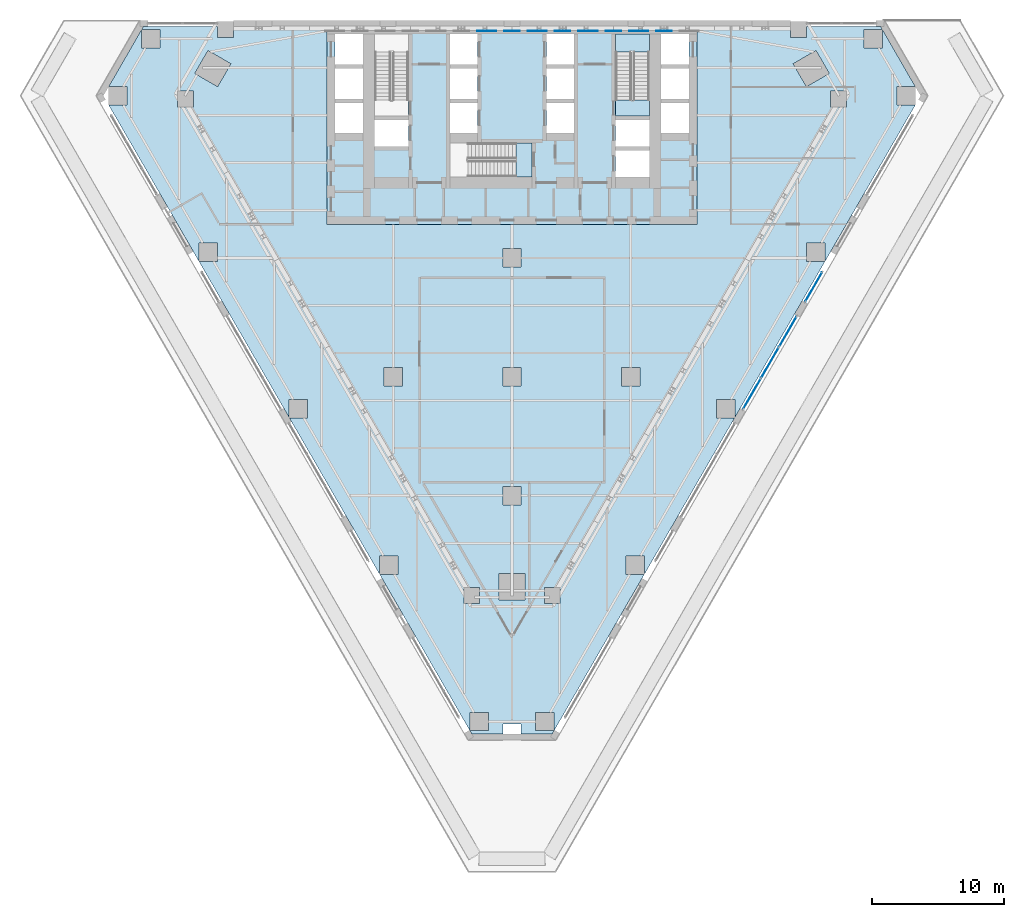
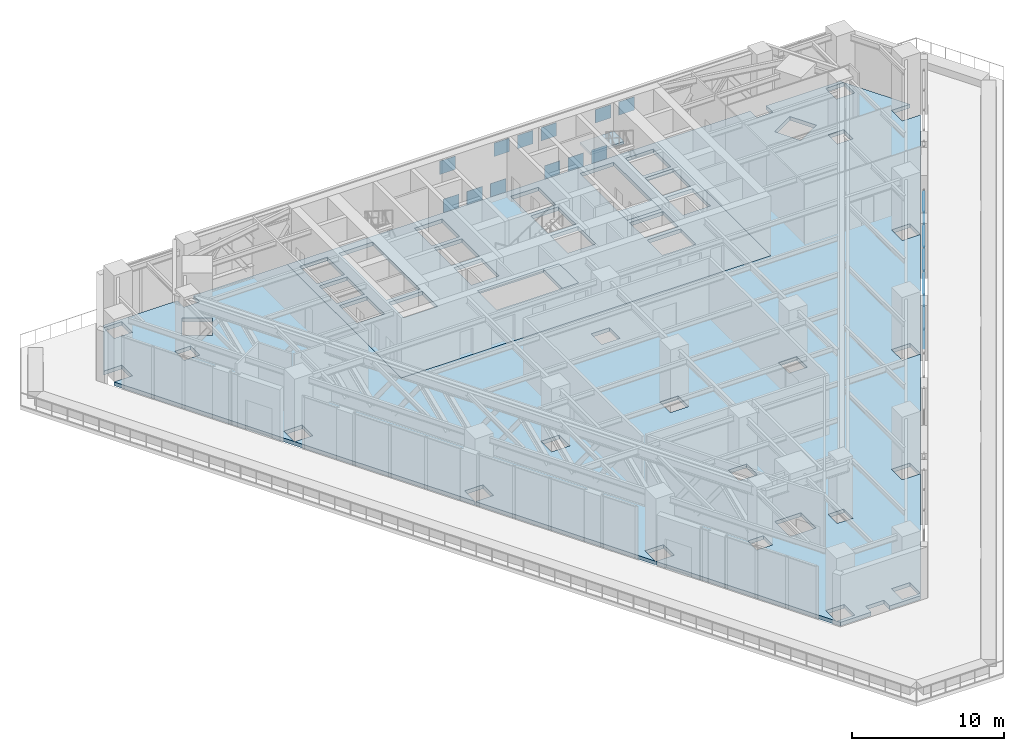
# One storey, part 15 of 25: 16 plates, 5 slabs, 3 elements without a shape of their own.
"""IFC4 building model written with IfcOpenShell, lengths in metres."""

from ifc_helpers import new_model, si_unit, direction, frame, origin, origin_2d, place, context, subcontext, project, spatial, polyline, rectangle, outline, extrude, material, layer, layer_set, type_object, element, aggregate, save


model = new_model("IFC4")

# Units and contexts
model_context = context("Model", 3, precision=1e-05, world=origin(), true_north=direction((0.0, 1.0)))
body_context = subcontext(model_context, "Body", "Model", "MODEL_VIEW")
ifc_project = project(units=[si_unit("LENGTHUNIT", "METRE"), si_unit("AREAUNIT", "SQUARE_METRE"), si_unit("VOLUMEUNIT", "CUBIC_METRE"), si_unit("PLANEANGLEUNIT", "RADIAN"), si_unit("MASSUNIT", "GRAM", prefix="KILO")], contexts=[model_context])

# Site, building, storey
site_placement = place(None, origin())
site = spatial("IfcSite", under=ifc_project, at=site_placement, CompositionType="ELEMENT")
building_placement = place(site_placement, origin())
building = spatial("IfcBuilding", under=site, at=building_placement, Name="Aloe Facet Convention Tower", CompositionType="ELEMENT")
storey_placement = place(building_placement, frame((0.0, 0.0, 30.0)))
storey = spatial("IfcBuildingStorey", under=building, at=storey_placement, Name="L05", CompositionType="ELEMENT", Elevation=30.0)

# Slabs
ifc_material_1 = material(Name="Concrete C80/95", Category="concrete")
ifc_layer_1 = layer(ifc_material_1, 0.300048828125)
ifc_layer_set_1 = layer_set([ifc_layer_1], Name="CR-S-FLOOR300-C8095")
slab_type_1 = type_object("IfcSlabType", Name="CR-S-FLOOR300-C8095", PredefinedType="FLOOR", material=ifc_layer_set_1)
slab_1_placement = place(storey_placement, frame((0.0, 0.0, -0.300048828125)))
element("IfcSlab", 1, at=slab_1_placement, inside=storey, type_object=slab_type_1, Name="Stair landing floor L05", PredefinedType="FLOOR", context=body_context, shape_type="SweptSolid", body=[
    extrude(outline(polyline([(90.39990234375, 127.75), (90.39990234375, 128.951171875), (87.85009765625, 128.951171875), (87.85009765625, 127.75), (90.39990234375, 127.75)])), origin(), (0.0, 0.0, 1.0), 0.300048828125),
])
slab_2_placement = place(storey_placement, frame((0.0, 0.0, -0.300048828125)))
element("IfcSlab", 2, at=slab_2_placement, inside=storey, type_object=slab_type_1, Name="Stair landing floor L05", PredefinedType="FLOOR", context=body_context, shape_type="SweptSolid", body=[
    extrude(outline(polyline([(81.5, 125.699951171875), (80.298828125, 125.699951171875), (80.298828125, 123.14990234375), (81.5, 123.14990234375), (81.5, 125.699951171875)])), origin(), (0.0, 0.0, 1.0), 0.300048828125),
])
slab_3_placement = place(storey_placement, frame((0.0, 0.0, -0.300048828125)))
element("IfcSlab", 3, at=slab_3_placement, inside=storey, type_object=slab_type_1, Name="Core floor L05", PredefinedType="FLOOR", context=body_context, shape_type="SweptSolid", body=[
    extrude(outline(polyline([(69.300048828125, 134.550048828125), (71.85009765625, 134.550048828125), (72.75, 134.550048828125), (74.699951171875, 134.550048828125), (75.60009765625, 134.550048828125), (77.10009765625, 134.550048828125), (78.0, 134.550048828125), (82.0, 134.550048828125), (82.89990234375, 134.550048828125), (84.39990234375, 134.550048828125), (85.300048828125, 134.550048828125), (87.25, 134.550048828125), (88.14990234375, 134.550048828125), (90.699951171875, 134.550048828125), (91.0, 134.550048828125), (94.0, 134.550048828125), (94.0, 131.949951171875), (94.0, 131.050048828125), (94.0, 129.35009765625), (94.0, 128.449951171875), (94.0, 126.449951171875), (94.0, 125.85009765625), (94.0, 124.9736328125), (94.0, 123.923583984375), (94.0, 122.834228515625), (94.0, 121.7841796875), (94.0, 119.550048828125), (91.300048828125, 119.550048828125), (90.699951171875, 119.550048828125), (89.60009765625, 119.550048828125), (88.550048828125, 119.550048828125), (87.89990234375, 119.550048828125), (86.85009765625, 119.550048828125), (85.699951171875, 119.550048828125), (84.64990234375, 119.550048828125), (83.699951171875, 119.550048828125), (82.64990234375, 119.550048828125), (81.75, 119.550048828125), (80.699951171875, 119.550048828125), (78.550048828125, 119.550048828125), (77.5, 119.550048828125), (75.35009765625, 119.550048828125), (74.300048828125, 119.550048828125), (73.14990234375, 119.550048828125), (72.10009765625, 119.550048828125), (69.300048828125, 119.550048828125), (66.0, 119.550048828125), (66.0, 121.5), (66.0, 122.550048828125), (66.0, 123.449951171875), (66.0, 124.5), (66.0, 125.85009765625), (66.0, 126.449951171875), (66.0, 128.449951171875), (66.0, 129.35009765625), (66.0, 131.050048828125), (66.0, 131.949951171875), (66.0, 134.550048828125), (69.0, 134.550048828125), (69.300048828125, 134.550048828125)]), holes=[polyline([(75.300048828125, 123.14990234375), (80.298828125, 123.14990234375), (81.5, 123.14990234375), (81.5, 125.699951171875), (80.298828125, 125.699951171875), (75.300048828125, 125.699951171875), (75.300048828125, 123.14990234375)]), polyline([(69.60009765625, 125.449951171875), (72.14990234375, 125.449951171875), (72.14990234375, 127.449951171875), (69.60009765625, 127.449951171875), (69.60009765625, 125.449951171875)]), polyline([(66.60009765625, 126.449951171875), (68.699951171875, 126.449951171875), (68.699951171875, 128.75), (66.60009765625, 128.75), (66.60009765625, 126.449951171875)]), polyline([(75.300048828125, 126.449951171875), (77.39990234375, 126.449951171875), (77.39990234375, 128.75), (75.300048828125, 128.75), (75.300048828125, 126.449951171875)]), polyline([(66.60009765625, 129.050048828125), (68.699951171875, 129.050048828125), (68.699951171875, 131.35009765625), (66.60009765625, 131.35009765625), (66.60009765625, 129.050048828125)]), polyline([(75.300048828125, 129.050048828125), (77.39990234375, 129.050048828125), (77.39990234375, 131.35009765625), (75.300048828125, 131.35009765625), (75.300048828125, 129.050048828125)]), polyline([(69.60009765625, 133.949951171875), (69.60009765625, 128.951171875), (69.60009765625, 127.75), (72.14990234375, 127.75), (72.14990234375, 128.951171875), (72.14990234375, 133.949951171875), (69.60009765625, 133.949951171875)]), polyline([(66.60009765625, 133.949951171875), (66.60009765625, 131.64990234375), (68.699951171875, 131.64990234375), (68.699951171875, 133.949951171875), (66.60009765625, 133.949951171875)]), polyline([(75.300048828125, 133.949951171875), (75.300048828125, 131.64990234375), (77.39990234375, 131.64990234375), (77.39990234375, 133.949951171875), (75.300048828125, 133.949951171875)]), polyline([(87.85009765625, 123.14990234375), (90.39990234375, 123.14990234375), (90.39990234375, 125.14990234375), (87.85009765625, 125.14990234375), (87.85009765625, 123.14990234375)]), polyline([(87.85009765625, 125.449951171875), (90.39990234375, 125.449951171875), (90.39990234375, 127.449951171875), (87.85009765625, 127.449951171875), (87.85009765625, 125.449951171875)]), polyline([(82.60009765625, 126.449951171875), (84.699951171875, 126.449951171875), (84.699951171875, 128.75), (82.60009765625, 128.75), (82.60009765625, 126.449951171875)]), polyline([(91.300048828125, 126.449951171875), (93.39990234375, 126.449951171875), (93.39990234375, 128.75), (91.300048828125, 128.75), (91.300048828125, 126.449951171875)]), polyline([(82.60009765625, 129.050048828125), (84.699951171875, 129.050048828125), (84.699951171875, 131.35009765625), (82.60009765625, 131.35009765625), (82.60009765625, 129.050048828125)]), polyline([(91.300048828125, 129.050048828125), (93.39990234375, 129.050048828125), (93.39990234375, 131.35009765625), (91.300048828125, 131.35009765625), (91.300048828125, 129.050048828125)]), polyline([(87.85009765625, 133.949951171875), (87.85009765625, 128.951171875), (87.85009765625, 127.75), (90.39990234375, 127.75), (90.39990234375, 128.951171875), (90.39990234375, 133.949951171875), (87.85009765625, 133.949951171875)]), polyline([(82.60009765625, 133.949951171875), (82.60009765625, 131.64990234375), (84.699951171875, 131.64990234375), (84.699951171875, 133.949951171875), (82.60009765625, 133.949951171875)]), polyline([(91.300048828125, 133.949951171875), (91.300048828125, 131.64990234375), (93.39990234375, 131.64990234375), (93.39990234375, 133.949951171875), (91.300048828125, 133.949951171875)])]), origin(), (0.0, 0.0, 1.0), 0.300048828125),
])

# Stair, slab
ifc_material_2 = material(Name="Concrete C50/60", Category="concrete")
stair_type = type_object("IfcStairType", Name="CR-ST-28R", PredefinedType="HALF_TURN_STAIR", material=ifc_material_2)
stair_placement = place(storey_placement, origin())
stair = element("IfcStair", 4, at=stair_placement, inside=storey, type_object=stair_type, Name="L05 Protected exit stair ST2", PredefinedType="HALF_TURN_STAIR")
ifc_material_3 = material(Name="Concrete C50/60", Category="concrete")
ifc_layer_2 = layer(ifc_material_3, 0.199951171875)
ifc_layer_set_2 = layer_set([ifc_layer_2], Name="CR-SL-LANDING")
slab_type_2 = type_object("IfcSlabType", Name="CR-SL-LANDING", PredefinedType="LANDING", material=ifc_layer_set_2)
slab_4_placement = place(storey_placement, frame((0.0, 0.0, 2.300048828125)))
slab_4 = element("IfcSlab", 5, at=slab_4_placement, type_object=slab_type_2, Name="ST2 landing 1", PredefinedType="LANDING", context=body_context, shape_type="SweptSolid", body=[
    extrude(outline(polyline([(90.39990234375, 132.590087890625), (90.39990234375, 133.949951171875), (87.85009765625, 133.949951171875), (87.85009765625, 132.590087890625), (90.39990234375, 132.590087890625)])), origin(), (0.0, 0.0, 1.0), 0.199951171875),
])
aggregate(stair, [slab_4])

# Curtain wall, plates
ifc_material_4 = material(Name="Aluminium, anodised", Category="aluminium")
curtain_wall_type = type_object("IfcCurtainWallType", Name="EV-CW-HALL", PredefinedType="USERDEFINED", material=ifc_material_4)
curtain_wall_1_placement = place(storey_placement, origin())
curtain_wall_1 = element("IfcCurtainWall", 6, at=curtain_wall_1_placement, inside=storey, type_object=curtain_wall_type, Name="CW-L05-E08", ObjectType="UNITISED HALL GLAZING", PredefinedType="USERDEFINED")
ifc_material_5 = material(Name="Clear double glazing", Category="glass")
ifc_layer_3 = layer(ifc_material_5, 0.035888671875)
ifc_layer_set_3 = layer_set([ifc_layer_3], Name="EV-PANEL-HALL")
plate_type_1 = type_object("IfcPlateType", Name="EV-PANEL-HALL", PredefinedType="CURTAIN_PANEL", material=ifc_layer_set_3)
plate_1_placement = place(storey_placement, frame((98.1826171875, 106.713623046875, -0.23486328125), z_axis=(0.0, 0.0, 1.0), x_axis=(0.5, 0.866025403784, 0.0)))
plate_1 = element("IfcPlate", 7, at=plate_1_placement, type_object=plate_type_1, Name="CW-L05-E08 panel 1.1", PredefinedType="CURTAIN_PANEL", context=body_context, shape_type="SweptSolid", body=[
    extrude(rectangle(XDim=2.6328125, YDim=0.035888671875, at=origin_2d()), origin(), (0.0, 0.0, 1.0), 4.282470703125),
])
plate_2_placement = place(storey_placement, frame((99.539794921875, 109.064208984375, -0.23486328125), z_axis=(0.0, 0.0, 1.0), x_axis=(0.5, 0.866025403784, 0.0)))
plate_2 = element("IfcPlate", 8, at=plate_2_placement, type_object=plate_type_1, Name="CW-L05-E08 panel 2.1", PredefinedType="CURTAIN_PANEL", context=body_context, shape_type="SweptSolid", body=[
    extrude(rectangle(XDim=2.665283203125, YDim=0.035888671875, at=origin_2d()), origin(), (0.0, 0.0, 1.0), 4.282470703125),
])
plate_3_placement = place(storey_placement, frame((100.896728515625, 111.414794921875, -0.23486328125), z_axis=(0.0, 0.0, 1.0), x_axis=(0.5, 0.866025403784, 0.0)))
plate_3 = element("IfcPlate", 9, at=plate_3_placement, type_object=plate_type_1, Name="CW-L05-E08 panel 3.1", PredefinedType="CURTAIN_PANEL", context=body_context, shape_type="SweptSolid", body=[
    extrude(rectangle(XDim=2.6328125, YDim=0.035888671875, at=origin_2d()), origin(), (0.0, 0.0, 1.0), 4.282470703125),
])
aggregate(curtain_wall_1, [plate_1, plate_2, plate_3])

# Curtain wall, plate
curtain_wall_2_placement = place(storey_placement, origin())
curtain_wall_2 = element("IfcCurtainWall", 10, at=curtain_wall_2_placement, inside=storey, type_object=curtain_wall_type, Name="CW-L05-E10A", ObjectType="UNITISED HALL GLAZING", PredefinedType="USERDEFINED")
plate_4_placement = place(storey_placement, frame((102.854248046875, 114.805419921875, -0.23486328125), z_axis=(0.0, 0.0, 1.0), x_axis=(0.500000000106, 0.866025403723, 0.0)))
plate_4 = element("IfcPlate", 11, at=plate_4_placement, type_object=plate_type_1, Name="CW-L05-E10A panel 1.1", PredefinedType="CURTAIN_PANEL", context=body_context, shape_type="SweptSolid", body=[
    extrude(rectangle(XDim=2.537353515625, YDim=0.035888671875, at=origin_2d()), origin(), (0.0, 0.0, 1.0), 4.282470703125),
])
aggregate(curtain_wall_2, [plate_4])

# Slab
ifc_material_6 = material(Name="Concrete C35/45", Category="concrete")
ifc_layer_4 = layer(ifc_material_6, 0.300048828125)
ifc_layer_set_4 = layer_set([ifc_layer_4], Name="SF-FS-300")
slab_type_3 = type_object("IfcSlabType", Name="SF-FS-300", PredefinedType="FLOOR", material=ifc_layer_set_4)
slab_5_placement = place(storey_placement, frame((0.0, 0.0, -0.300048828125)))
element("IfcSlab", 12, at=slab_5_placement, inside=storey, type_object=slab_type_3, Name="Floor slab L05-1", PredefinedType="FLOOR", context=body_context, shape_type="SweptSolid", body=[
    extrude(outline(polyline([(108.05810546875, 134.300048828125), (106.6650390625, 134.300048828125), (106.6650390625, 132.89990234375), (108.06494140625, 132.89990234375), (108.06494140625, 134.287841796875), (110.5498046875, 129.98388671875), (109.156982421875, 129.98388671875), (109.156982421875, 128.583984375), (110.549560546875, 128.583984375), (103.716064453125, 116.747802734375), (103.716064453125, 118.135009765625), (102.31591796875, 118.135009765625), (102.31591796875, 116.735107421875), (103.70849609375, 116.735107421875), (96.8740234375, 104.897216796875), (96.8740234375, 106.284912109375), (95.47412109375, 106.284912109375), (95.47412109375, 104.885009765625), (96.866943359375, 104.885009765625), (90.032958984375, 93.048095703125), (90.032958984375, 94.43603515625), (88.633056640625, 94.43603515625), (88.633056640625, 93.035888671875), (90.02587890625, 93.035888671875), (83.19189453125, 81.19921875), (83.19189453125, 82.5859375), (81.7919921875, 82.5859375), (81.7919921875, 81.18603515625), (83.184326171875, 81.18603515625), (83.040283203125, 80.936279296875), (80.699951171875, 80.936279296875), (80.699951171875, 81.699951171875), (79.300048828125, 81.699951171875), (79.300048828125, 80.936279296875), (76.959716796875, 80.936279296875), (76.815673828125, 81.18603515625), (78.2080078125, 81.18603515625), (78.2080078125, 82.5859375), (76.80810546875, 82.5859375), (76.80810546875, 81.19921875), (69.97412109375, 93.035888671875), (71.366943359375, 93.035888671875), (71.366943359375, 94.43603515625), (69.967041015625, 94.43603515625), (69.967041015625, 93.048095703125), (63.133056640625, 104.885009765625), (64.52587890625, 104.885009765625), (64.52587890625, 106.284912109375), (63.1259765625, 106.284912109375), (63.1259765625, 104.897216796875), (56.29150390625, 116.735107421875), (57.68408203125, 116.735107421875), (57.68408203125, 118.135009765625), (56.283935546875, 118.135009765625), (56.283935546875, 116.747802734375), (49.450439453125, 128.583984375), (50.843017578125, 128.583984375), (50.843017578125, 129.98388671875), (49.4501953125, 129.98388671875), (51.93505859375, 134.287841796875), (51.93505859375, 132.89990234375), (53.3349609375, 132.89990234375), (53.3349609375, 134.300048828125), (51.94189453125, 134.300048828125), (52.086181640625, 134.550048828125), (57.699951171875, 134.550048828125), (57.699951171875, 133.699951171875), (58.89990234375, 133.699951171875), (58.89990234375, 134.550048828125), (66.0, 134.550048828125), (66.0, 131.949951171875), (66.0, 131.050048828125), (66.0, 129.35009765625), (66.0, 128.449951171875), (66.0, 126.449951171875), (66.0, 125.85009765625), (66.0, 124.5), (66.0, 123.449951171875), (66.0, 122.550048828125), (66.0, 121.5), (66.0, 119.550048828125), (69.300048828125, 119.550048828125), (72.10009765625, 119.550048828125), (73.14990234375, 119.550048828125), (74.300048828125, 119.550048828125), (75.35009765625, 119.550048828125), (77.5, 119.550048828125), (78.550048828125, 119.550048828125), (80.699951171875, 119.550048828125), (81.75, 119.550048828125), (82.64990234375, 119.550048828125), (83.699951171875, 119.550048828125), (84.64990234375, 119.550048828125), (85.699951171875, 119.550048828125), (86.85009765625, 119.550048828125), (87.89990234375, 119.550048828125), (88.550048828125, 119.550048828125), (89.60009765625, 119.550048828125), (90.699951171875, 119.550048828125), (91.300048828125, 119.550048828125), (94.0, 119.550048828125), (94.0, 121.7841796875), (94.0, 122.834228515625), (94.0, 123.923583984375), (94.0, 124.9736328125), (94.0, 125.85009765625), (94.0, 126.449951171875), (94.0, 128.449951171875), (94.0, 129.35009765625), (94.0, 131.050048828125), (94.0, 131.949951171875), (94.0, 134.550048828125), (101.10009765625, 134.550048828125), (101.10009765625, 133.699951171875), (102.300048828125, 133.699951171875), (102.300048828125, 134.550048828125), (107.913818359375, 134.550048828125), (108.05810546875, 134.300048828125)]), holes=[polyline([(55.856201171875, 128.427978515625), (55.856201171875, 129.6279296875), (54.65625, 129.6279296875), (54.65625, 128.427978515625), (55.856201171875, 128.427978515625)]), polyline([(56.969482421875, 132.7080078125), (55.969482421875, 130.97607421875), (57.70166015625, 129.97607421875), (58.70166015625, 131.7080078125), (56.969482421875, 132.7080078125)]), polyline([(76.356201171875, 90.842529296875), (77.55615234375, 90.842529296875), (77.55615234375, 92.04248046875), (76.356201171875, 92.04248046875), (76.356201171875, 90.842529296875)]), polyline([(83.643798828125, 90.842529296875), (83.643798828125, 92.04248046875), (82.44384765625, 92.04248046875), (82.44384765625, 90.842529296875), (83.643798828125, 90.842529296875)]), polyline([(79.0, 91.086181640625), (81.0, 91.086181640625), (81.0, 93.086181640625), (79.0, 93.086181640625), (79.0, 91.086181640625)]), polyline([(80.699951171875, 98.300048828125), (80.699951171875, 99.699951171875), (79.300048828125, 99.699951171875), (79.300048828125, 98.300048828125), (80.699951171875, 98.300048828125)]), polyline([(70.300048828125, 107.300048828125), (71.699951171875, 107.300048828125), (71.699951171875, 108.699951171875), (70.300048828125, 108.699951171875), (70.300048828125, 107.300048828125)]), polyline([(79.300048828125, 107.300048828125), (80.699951171875, 107.300048828125), (80.699951171875, 108.699951171875), (79.300048828125, 108.699951171875), (79.300048828125, 107.300048828125)]), polyline([(89.699951171875, 107.300048828125), (89.699951171875, 108.699951171875), (88.300048828125, 108.699951171875), (88.300048828125, 107.300048828125), (89.699951171875, 107.300048828125)]), polyline([(79.300048828125, 116.300048828125), (80.699951171875, 116.300048828125), (80.699951171875, 117.699951171875), (79.300048828125, 117.699951171875), (79.300048828125, 116.300048828125)]), polyline([(104.143798828125, 128.427978515625), (105.34375, 128.427978515625), (105.34375, 129.6279296875), (104.143798828125, 129.6279296875), (104.143798828125, 128.427978515625)]), polyline([(102.29833984375, 129.97607421875), (104.030517578125, 130.97607421875), (103.030517578125, 132.7080078125), (101.29833984375, 131.7080078125), (102.29833984375, 129.97607421875)])]), origin(), (0.0, 0.0, 1.0), 0.300048828125),
])

# Plates
ifc_material_7 = material(Name="Steel S355", Category="steel")
ifc_layer_5 = layer(ifc_material_7, 0.030029296875)
ifc_layer_set_5 = layer_set([ifc_layer_5], Name="STW-CORE END PLATE")
plate_type_2 = type_object("IfcPlateType", Name="STW-CORE END PLATE", PredefinedType="SHEET", material=ifc_layer_set_5)
for number, where, z_axis, x_axis, name in (
    (13, (92.096435546875, 134.212646484375, 3.436767578125), (0.0, 1.0, 0.0), (-1.0, 0.0, 0.0), "Cast-in plate CP-F1-03"),
    (14, (90.03857421875, 134.212646484375, 0.288818359375), (0.0, 1.0, 0.0), (-1.0, 0.0, 0.0), "Cast-in plate CP-F1-04"),
    (15, (90.31787109375, 134.212646484375, 3.436767578125), (0.0, 1.0, 0.0), (-1.0, 0.0, 0.0), "Cast-in plate CP-F1-05"),
    (16, (88.260009765625, 134.212646484375, 0.288818359375), (0.0, 1.0, 0.0), (-1.0, 0.0, 0.0), "Cast-in plate CP-F1-06"),
    (17, (86.2021484375, 134.212646484375, 3.436767578125), (0.0, 1.0, 0.0), (-1.0, 0.0, 0.0), "Cast-in plate CP-F1-07"),
    (18, (86.4814453125, 134.212646484375, 0.288818359375), (0.0, 1.0, 0.0), (-1.0, 0.0, 0.0), "Cast-in plate CP-F1-08"),
    (19, (84.423583984375, 134.212646484375, 3.436767578125), (0.0, 1.0, 0.0), (-1.0, 0.0, 0.0), "Cast-in plate CP-F1-09"),
    (20, (82.365966796875, 134.212646484375, 0.288818359375), (0.0, 1.0, 0.0), (-1.0, 0.0, 0.0), "Cast-in plate CP-F1-10"),
    (21, (82.64501953125, 134.212646484375, 3.436767578125), (0.0, 1.0, 0.0), (-1.0, 0.0, 0.0), "Cast-in plate CP-F1-11"),
):
    element("IfcPlate", number, at=place(storey_placement, frame(where, z_axis=z_axis, x_axis=x_axis)), inside=storey, type_object=plate_type_2, Name=name, PredefinedType="SHEET", context=body_context, shape_type="SweptSolid", body=[
        extrude(outline(polyline([(0.0, 0.0), (1.174560546875, 0.0), (1.174560546875, 1.074462890625), (0.0, 1.074462890625), (0.0, 0.0)])), origin(), (0.0, 0.0, -1.0), 0.030029296875),
    ])
plate_5_placement = place(storey_placement, frame((80.58740234375, 134.212646484375, 0.288818359375), z_axis=(0.0, 1.0, 0.0), x_axis=(-1.0, 0.0, 0.0)))
element("IfcPlate", 22, at=plate_5_placement, inside=storey, type_object=plate_type_2, Name="Cast-in plate CP-F1-12", PredefinedType="SHEET", context=body_context, shape_type="SweptSolid", body=[
    extrude(outline(polyline([(0.0, 0.0), (1.1748046875, 0.0), (1.1748046875, 1.074462890625), (0.0, 1.074462890625), (0.0, 0.0)])), origin(), (0.0, 0.0, -1.0), 0.030029296875),
])
for number, where, z_axis, x_axis, name in (
    (23, (78.529541015625, 134.212646484375, 3.436767578125), (0.0, 1.0, 0.0), (-1.0, 0.0, 0.0), "Cast-in plate CP-F1-13"),
    (24, (78.80859375, 134.212646484375, 0.288818359375), (0.0, 1.0, 0.0), (-1.0, 0.0, 0.0), "Cast-in plate CP-F1-14"),
):
    element("IfcPlate", number, at=place(storey_placement, frame(where, z_axis=z_axis, x_axis=x_axis)), inside=storey, type_object=plate_type_2, Name=name, PredefinedType="SHEET", context=body_context, shape_type="SweptSolid", body=[
        extrude(outline(polyline([(0.0, 0.0), (1.174560546875, 0.0), (1.174560546875, 1.074462890625), (0.0, 1.074462890625), (0.0, 0.0)])), origin(), (0.0, 0.0, -1.0), 0.030029296875),
    ])

save(model, "model.ifc")
